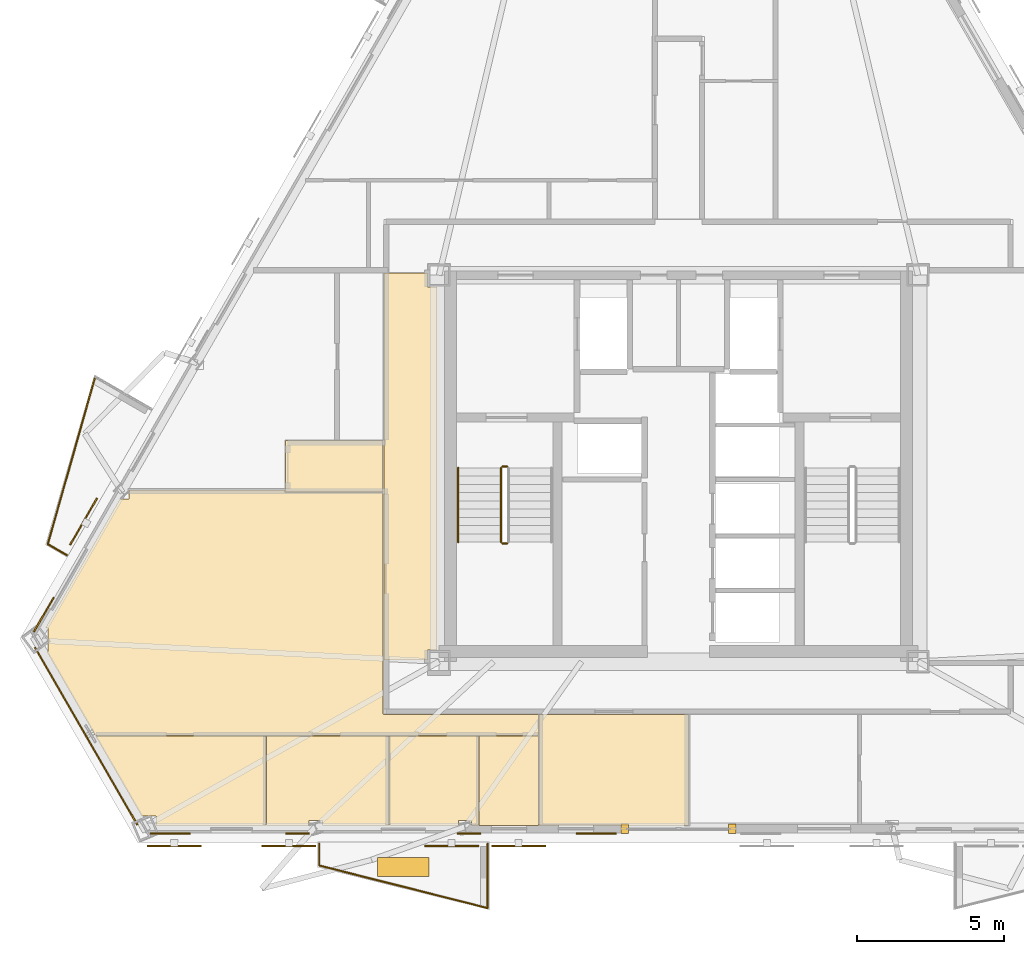
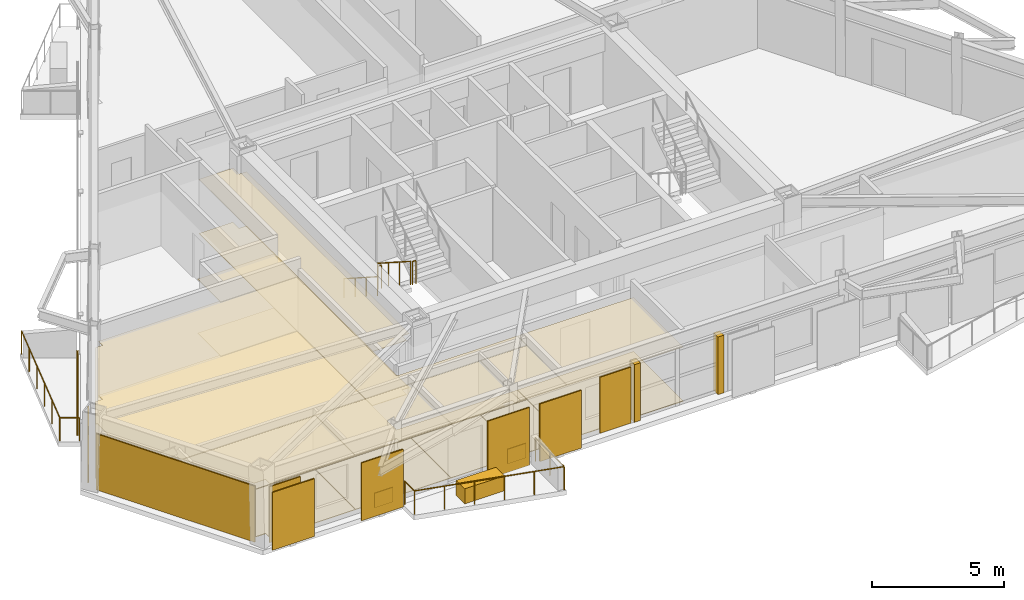
# One storey, part 10 of 13: 25 coverings, 9 railings, 5 shading devices.
"""IFC4 building model written with IfcOpenShell, lengths in metres."""

from ifc_helpers import new_model, si_unit, direction, frame, origin, origin_2d, place, context, subcontext, project, spatial, polyline, rectangle, circle, outline, extrude, material, layer, layer_set, type_object, element, save


model = new_model("IFC4")

# Units and contexts
model_context = context("Model", 3, precision=1e-05, world=origin(), true_north=direction((0.0, 1.0)))
body_context = subcontext(model_context, "Body", "Model", "MODEL_VIEW")
ifc_project = project(units=[si_unit("LENGTHUNIT", "METRE"), si_unit("AREAUNIT", "SQUARE_METRE"), si_unit("VOLUMEUNIT", "CUBIC_METRE"), si_unit("PLANEANGLEUNIT", "RADIAN"), si_unit("MASSUNIT", "GRAM", prefix="KILO")], contexts=[model_context])

# Site, building, storey
site_placement = place(None, origin())
site = spatial("IfcSite", under=ifc_project, at=site_placement, CompositionType="ELEMENT")
building_placement = place(site_placement, origin())
building = spatial("IfcBuilding", under=site, at=building_placement, Name="Oramaril Tower", CompositionType="ELEMENT")
storey_placement = place(building_placement, frame((0.0, 0.0, 197.39990234375)))
storey = spatial("IfcBuildingStorey", under=building, at=storey_placement, Name="L52", CompositionType="ELEMENT", Elevation=197.39990234375)

# Coverings
ifc_material_1 = material(Name="Mineral Fibre Acoustic Ceiling")
ifc_layer_1 = layer(ifc_material_1, 0.02001953125)
ifc_layer_set_1 = layer_set([ifc_layer_1], Name="CVT-CEIL")
covering_type_1 = type_object("IfcCoveringType", Name="CVT-CEIL", PredefinedType="CEILING", material=ifc_layer_set_1)
covering_1_placement = place(storey_placement, frame((0.0, 0.0, 2.51220703125)))
element("IfcCovering", 1, at=covering_1_placement, inside=storey, type_object=covering_type_1, Name="L52 Acoustic Suspended Ceiling 3", PredefinedType="CEILING", context=body_context, shape_type="SweptSolid", body=[
    extrude(outline(polyline([(28.955078125, 23.7548828125), (29.280029296875, 23.7548828125), (29.280029296875, 11.39501953125), (28.955078125, 11.39501953125), (28.955078125, 11.050048828125), (27.469970703125, 11.050048828125), (27.469970703125, 24.219970703125), (28.955078125, 24.219970703125), (28.955078125, 23.7548828125)])), origin(), (0.0, 0.0, 1.0), 0.019775390625),
])
covering_2_placement = place(storey_placement, frame((0.0, 0.0, 2.51220703125)))
element("IfcCovering", 2, at=covering_2_placement, inside=storey, type_object=covering_type_1, Name="L52 Acoustic Suspended Ceiling 5", PredefinedType="CEILING", context=body_context, shape_type="SweptSolid", body=[
    extrude(outline(polyline([(24.1201171875, 16.77001953125), (24.1201171875, 18.530029296875), (27.449951171875, 18.530029296875), (27.449951171875, 16.77001953125), (24.1201171875, 16.77001953125)])), origin(), (0.0, 0.0, 1.0), 0.019775390625),
])
covering_3_placement = place(storey_placement, frame((0.0, 0.0, 2.51220703125)))
element("IfcCovering", 3, at=covering_3_placement, inside=storey, type_object=covering_type_1, Name="L52 Acoustic Suspended Ceiling 6", PredefinedType="CEILING", context=body_context, shape_type="SweptSolid", body=[
    extrude(outline(polyline([(37.842041015625, 5.41943359375), (32.758056640625, 5.41943359375), (32.758056640625, 9.199951171875), (37.842041015625, 9.199951171875), (37.842041015625, 5.41943359375)])), origin(), (0.0, 0.0, 1.0), 0.019775390625),
])
covering_4_placement = place(storey_placement, frame((0.0, 0.0, 2.51220703125)))
element("IfcCovering", 4, at=covering_4_placement, inside=storey, type_object=covering_type_1, Name="L52 Acoustic Suspended Ceiling 9", PredefinedType="CEILING", context=body_context, shape_type="SweptSolid", body=[
    extrude(outline(polyline([(17.64306640625, 8.489501953125), (15.9921875, 11.348876953125), (16.03466796875, 11.348876953125), (16.03466796875, 12.148681640625), (15.957763671875, 12.148681640625), (18.490966796875, 16.536376953125), (18.79248046875, 16.536376953125), (18.79248046875, 16.842041015625), (24.10009765625, 16.842041015625), (24.10009765625, 16.77001953125), (24.10009765625, 16.76806640625), (24.100341796875, 16.76611328125), (24.100830078125, 16.76416015625), (24.1015625, 16.76220703125), (24.102294921875, 16.760498046875), (24.103515625, 16.7587890625), (24.1044921875, 16.75732421875), (24.10595703125, 16.755859375), (24.107421875, 16.75439453125), (24.10888671875, 16.75341796875), (24.110595703125, 16.75244140625), (24.1123046875, 16.75146484375), (24.1142578125, 16.7509765625), (24.1162109375, 16.75048828125), (24.117919921875, 16.75), (24.1201171875, 16.75), (27.449951171875, 16.75), (27.449951171875, 11.050048828125), (27.4501953125, 11.048095703125), (27.450439453125, 11.046142578125), (27.450927734375, 11.044189453125), (27.451416015625, 11.042236328125), (27.452392578125, 11.04052734375), (27.45263671875, 11.0400390625), (27.452392578125, 11.039306640625), (27.451416015625, 11.03759765625), (27.450927734375, 11.035888671875), (27.450439453125, 11.033935546875), (27.4501953125, 11.031982421875), (27.449951171875, 11.030029296875), (27.449951171875, 9.219970703125), (27.4501953125, 9.218017578125), (27.450439453125, 9.216064453125), (27.450927734375, 9.214111328125), (27.451416015625, 9.21240234375), (27.452392578125, 9.210693359375), (27.453369140625, 9.208984375), (27.45458984375, 9.207275390625), (27.455810546875, 9.205810546875), (27.457275390625, 9.20458984375), (27.458984375, 9.203369140625), (27.460693359375, 9.202392578125), (27.46240234375, 9.201416015625), (27.464111328125, 9.200927734375), (27.466064453125, 9.200439453125), (27.468017578125, 9.2001953125), (27.469970703125, 9.199951171875), (32.738037109375, 9.199951171875), (32.738037109375, 8.489501953125), (17.64306640625, 8.489501953125)])), origin(), (0.0, 0.0, 1.0), 0.019775390625),
])
covering_5_placement = place(storey_placement, frame((0.0, 0.0, 2.51220703125)))
element("IfcCovering", 5, at=covering_5_placement, inside=storey, type_object=covering_type_1, Name="L52 Acoustic Suspended Ceiling 10", PredefinedType="CEILING", context=body_context, shape_type="SweptSolid", body=[
    extrude(outline(polyline([(23.4609375, 5.41943359375), (19.72314453125, 5.41943359375), (19.72314453125, 5.750732421875), (19.224365234375, 5.750732421875), (17.65478515625, 8.469482421875), (23.4609375, 8.469482421875), (23.4609375, 5.41943359375)])), origin(), (0.0, 0.0, 1.0), 0.019775390625),
])
covering_6_placement = place(storey_placement, frame((0.0, 0.0, 2.51220703125)))
element("IfcCovering", 6, at=covering_6_placement, inside=storey, type_object=covering_type_1, Name="L52 Acoustic Suspended Ceiling 11", PredefinedType="CEILING", context=body_context, shape_type="SweptSolid", body=[
    extrude(outline(polyline([(27.6474609375, 5.41943359375), (25.379638671875, 5.41943359375), (25.379638671875, 5.60009765625), (24.9208984375, 5.60009765625), (24.9208984375, 5.41943359375), (23.48095703125, 5.41943359375), (23.48095703125, 8.469482421875), (27.6474609375, 8.469482421875), (27.6474609375, 5.41943359375)])), origin(), (0.0, 0.0, 1.0), 0.019775390625),
])
covering_7_placement = place(storey_placement, frame((0.0, 0.0, 2.51220703125)))
element("IfcCovering", 7, at=covering_7_placement, inside=storey, type_object=covering_type_1, Name="L52 Acoustic Suspended Ceiling 12", PredefinedType="CEILING", context=body_context, shape_type="SweptSolid", body=[
    extrude(outline(polyline([(30.697509765625, 5.41943359375), (30.460693359375, 5.41943359375), (30.460693359375, 5.60009765625), (30.010009765625, 5.60009765625), (30.010009765625, 5.41943359375), (27.66748046875, 5.41943359375), (27.66748046875, 8.469482421875), (30.697509765625, 8.469482421875), (30.697509765625, 5.41943359375)])), origin(), (0.0, 0.0, 1.0), 0.019775390625),
])
covering_8_placement = place(storey_placement, frame((0.0, 0.0, 2.51220703125)))
element("IfcCovering", 8, at=covering_8_placement, inside=storey, type_object=covering_type_1, Name="L52 Acoustic Suspended Ceiling 13", PredefinedType="CEILING", context=body_context, shape_type="SweptSolid", body=[
    extrude(outline(polyline([(30.717529296875, 5.41943359375), (30.717529296875, 8.469482421875), (32.738037109375, 8.469482421875), (32.738037109375, 5.41943359375), (30.717529296875, 5.41943359375)])), origin(), (0.0, 0.0, 1.0), 0.019775390625),
])
ifc_material_2 = material(Name="Warm Cream Limestone", Category="masonry")
ifc_layer_2 = layer(ifc_material_2, 0.050048828125)
ifc_layer_set_2 = layer_set([ifc_layer_2], Name="CVT-CLD")
covering_type_2 = type_object("IfcCoveringType", Name="CVT-CLD", PredefinedType="CLADDING", material=ifc_layer_set_2)
covering_9_placement = place(storey_placement, frame((17.3408203125, 8.461181640625, 0.0400390625), z_axis=(0.0, 0.0, 1.0), x_axis=(0.499995465495, -0.866028021766, 0.0)))
element("IfcCovering", 9, at=covering_9_placement, inside=storey, type_object=covering_type_2, Name="L52 Warm Cream Limestone Cladding", PredefinedType="CLADDING", context=body_context, shape_type="SweptSolid", body=[
    extrude(rectangle(XDim=6.9677734375, YDim=0.050048828125, at=origin_2d()), origin(), (0.0, 0.0, 1.0), 2.596923828125),
])
for number, where, z_axis, x_axis, name in (
    (10, (35.669921875, 5.3115234375, 0.0), (0.0, 0.0, 1.0), (1.0, 0.0, 0.0), "L52 Curtain Wall Limestone Jamb Closure"),
    (11, (39.330078125, 5.3115234375, 0.0), (0.0, 0.0, 1.0), (1.0, 0.0, 0.0), "L52 Curtain Wall Limestone Jamb Closure"),
):
    element("IfcCovering", number, at=place(storey_placement, frame(where, z_axis=z_axis, x_axis=x_axis)), inside=storey, type_object=covering_type_2, Name=name, PredefinedType="CLADDING", context=body_context, shape_type="SweptSolid", body=[
        extrude(rectangle(XDim=0.260009765625, YDim=0.340087890625, at=origin_2d()), origin(), (0.0, 0.0, 1.0), 2.677001953125),
    ])
for number, where, z_axis, x_axis, name in (
    (12, (20.203125, 5.1435546875, 0.0400390625), (0.0, 0.0, 1.0), (1.0, 0.0, 0.0), "L52 Warm Cream Limestone Cladding"),
    (13, (34.699951171875, 5.1435546875, 0.0400390625), (0.0, 0.0, 1.0), (1.0, 0.0, 0.0), "L52 Warm Cream Limestone Cladding"),
):
    element("IfcCovering", number, at=place(storey_placement, frame(where, z_axis=z_axis, x_axis=x_axis)), inside=storey, type_object=covering_type_2, Name=name, PredefinedType="CLADDING", context=body_context, shape_type="SweptSolid", body=[
        extrude(rectangle(XDim=1.35009765625, YDim=0.050048828125, at=origin_2d()), origin(), (0.0, 0.0, 1.0), 2.596923828125),
    ])
for number, where, z_axis, x_axis, name in (
    (14, (24.5361328125, 5.1435546875, 0.0400390625), (0.0, 0.0, 1.0), (1.0, 0.0, 0.0), "L52 Warm Cream Limestone Spandrel Cladding"),
    (15, (30.366943359375, 5.1435546875, 0.0400390625), (0.0, 0.0, 1.0), (1.0, 0.0, 0.0), "L52 Warm Cream Limestone Spandrel Cladding"),
):
    element("IfcCovering", number, at=place(storey_placement, frame(where, z_axis=z_axis, x_axis=x_axis)), inside=storey, type_object=covering_type_2, Name=name, PredefinedType="CLADDING", context=body_context, shape_type="SweptSolid", body=[
        extrude(rectangle(XDim=0.800048828125, YDim=0.050048828125, at=origin_2d()), origin(), (0.0, 0.0, 1.0), 0.679931640625),
    ])
covering_10_placement = place(storey_placement, frame((15.89892578125, 12.598876953125, 0.0400390625), z_axis=(0.0, 0.0, 1.0), x_axis=(-0.5, -0.866025403784, 0.0)))
element("IfcCovering", 16, at=covering_10_placement, inside=storey, type_object=covering_type_2, Name="L52 Warm Cream Limestone Cladding", PredefinedType="CLADDING", context=body_context, shape_type="SweptSolid", body=[
    extrude(rectangle(XDim=1.35009765625, YDim=0.050048828125, at=origin_2d()), origin(), (0.0, 0.0, 1.0), 2.596923828125),
])
covering_11_placement = place(storey_placement, frame((28.1376953125, 4.014892578125, 0.0), z_axis=(0.0, 0.0, 1.0), x_axis=(1.0, 0.0, 0.0)))
element("IfcCovering", 17, at=covering_11_placement, inside=storey, type_object=covering_type_2, Name="L52 Structural Tree Planter Box L52-BAL-S1", PredefinedType="CLADDING", context=body_context, shape_type="SweptSolid", body=[
    extrude(rectangle(XDim=1.75, YDim=0.64990234375, at=origin_2d()), origin(), (0.0, 0.0, 1.0), 0.699951171875),
])
ifc_material_3 = material(Name="Honed Quartzite Stone Flooring", Category="masonry")
ifc_layer_3 = layer(ifc_material_3, 0.02490234375)
ifc_layer_set_3 = layer_set([ifc_layer_3], Name="CVT-FLR")
covering_type_3 = type_object("IfcCoveringType", Name="CVT-FLR", PredefinedType="FLOORING", material=ifc_layer_set_3)
covering_12_placement = place(storey_placement, origin())
element("IfcCovering", 18, at=covering_12_placement, inside=storey, type_object=covering_type_3, Name="L52 Honed Stone Floor Finish 3", PredefinedType="FLOORING", context=body_context, shape_type="SweptSolid", body=[
    extrude(outline(polyline([(28.955078125, 23.7548828125), (29.280029296875, 23.7548828125), (29.280029296875, 11.39501953125), (28.955078125, 11.39501953125), (28.955078125, 11.050048828125), (27.469970703125, 11.050048828125), (27.469970703125, 24.219970703125), (28.955078125, 24.219970703125), (28.955078125, 23.7548828125)])), origin(), (0.0, 0.0, 1.0), 0.025146484375),
])
covering_13_placement = place(storey_placement, origin())
element("IfcCovering", 19, at=covering_13_placement, inside=storey, type_object=covering_type_3, Name="L52 Honed Stone Floor Finish 5", PredefinedType="FLOORING", context=body_context, shape_type="SweptSolid", body=[
    extrude(outline(polyline([(24.1201171875, 16.77001953125), (24.1201171875, 18.530029296875), (27.449951171875, 18.530029296875), (27.449951171875, 16.77001953125), (24.1201171875, 16.77001953125)])), origin(), (0.0, 0.0, 1.0), 0.025146484375),
])
covering_14_placement = place(storey_placement, origin())
element("IfcCovering", 20, at=covering_14_placement, inside=storey, type_object=covering_type_3, Name="L52 Honed Stone Floor Finish 6", PredefinedType="FLOORING", context=body_context, shape_type="SweptSolid", body=[
    extrude(outline(polyline([(37.842041015625, 5.41943359375), (32.758056640625, 5.41943359375), (32.758056640625, 9.199951171875), (37.842041015625, 9.199951171875), (37.842041015625, 5.41943359375)])), origin(), (0.0, 0.0, 1.0), 0.025146484375),
])
covering_15_placement = place(storey_placement, origin())
element("IfcCovering", 21, at=covering_15_placement, inside=storey, type_object=covering_type_3, Name="L52 Honed Stone Floor Finish 9", PredefinedType="FLOORING", context=body_context, shape_type="SweptSolid", body=[
    extrude(outline(polyline([(17.64306640625, 8.489501953125), (15.9921875, 11.348876953125), (16.03466796875, 11.348876953125), (16.03466796875, 12.148681640625), (15.957763671875, 12.148681640625), (18.490966796875, 16.536376953125), (18.79248046875, 16.536376953125), (18.79248046875, 16.842041015625), (24.10009765625, 16.842041015625), (24.10009765625, 16.77001953125), (24.10009765625, 16.76806640625), (24.100341796875, 16.76611328125), (24.100830078125, 16.76416015625), (24.1015625, 16.76220703125), (24.102294921875, 16.760498046875), (24.103515625, 16.7587890625), (24.1044921875, 16.75732421875), (24.10595703125, 16.755859375), (24.107421875, 16.75439453125), (24.10888671875, 16.75341796875), (24.110595703125, 16.75244140625), (24.1123046875, 16.75146484375), (24.1142578125, 16.7509765625), (24.1162109375, 16.75048828125), (24.117919921875, 16.75), (24.1201171875, 16.75), (27.449951171875, 16.75), (27.449951171875, 11.050048828125), (27.4501953125, 11.048095703125), (27.450439453125, 11.046142578125), (27.450927734375, 11.044189453125), (27.451416015625, 11.042236328125), (27.452392578125, 11.04052734375), (27.45263671875, 11.0400390625), (27.452392578125, 11.039306640625), (27.451416015625, 11.03759765625), (27.450927734375, 11.035888671875), (27.450439453125, 11.033935546875), (27.4501953125, 11.031982421875), (27.449951171875, 11.030029296875), (27.449951171875, 9.219970703125), (27.4501953125, 9.218017578125), (27.450439453125, 9.216064453125), (27.450927734375, 9.214111328125), (27.451416015625, 9.21240234375), (27.452392578125, 9.210693359375), (27.453369140625, 9.208984375), (27.45458984375, 9.207275390625), (27.455810546875, 9.205810546875), (27.457275390625, 9.20458984375), (27.458984375, 9.203369140625), (27.460693359375, 9.202392578125), (27.46240234375, 9.201416015625), (27.464111328125, 9.200927734375), (27.466064453125, 9.200439453125), (27.468017578125, 9.2001953125), (27.469970703125, 9.199951171875), (32.738037109375, 9.199951171875), (32.738037109375, 8.489501953125), (17.64306640625, 8.489501953125)])), origin(), (0.0, 0.0, 1.0), 0.025146484375),
])
covering_16_placement = place(storey_placement, origin())
element("IfcCovering", 22, at=covering_16_placement, inside=storey, type_object=covering_type_3, Name="L52 Honed Stone Floor Finish 10", PredefinedType="FLOORING", context=body_context, shape_type="SweptSolid", body=[
    extrude(outline(polyline([(23.4609375, 5.41943359375), (19.72314453125, 5.41943359375), (19.72314453125, 5.750732421875), (19.224365234375, 5.750732421875), (17.65478515625, 8.469482421875), (23.4609375, 8.469482421875), (23.4609375, 5.41943359375)])), origin(), (0.0, 0.0, 1.0), 0.025146484375),
])
covering_17_placement = place(storey_placement, origin())
element("IfcCovering", 23, at=covering_17_placement, inside=storey, type_object=covering_type_3, Name="L52 Honed Stone Floor Finish 11", PredefinedType="FLOORING", context=body_context, shape_type="SweptSolid", body=[
    extrude(outline(polyline([(27.6474609375, 5.41943359375), (25.379638671875, 5.41943359375), (25.379638671875, 5.60009765625), (24.9208984375, 5.60009765625), (24.9208984375, 5.41943359375), (23.48095703125, 5.41943359375), (23.48095703125, 8.469482421875), (27.6474609375, 8.469482421875), (27.6474609375, 5.41943359375)])), origin(), (0.0, 0.0, 1.0), 0.025146484375),
])
covering_18_placement = place(storey_placement, origin())
element("IfcCovering", 24, at=covering_18_placement, inside=storey, type_object=covering_type_3, Name="L52 Honed Stone Floor Finish 12", PredefinedType="FLOORING", context=body_context, shape_type="SweptSolid", body=[
    extrude(outline(polyline([(30.697509765625, 5.41943359375), (30.460693359375, 5.41943359375), (30.460693359375, 5.60009765625), (30.010009765625, 5.60009765625), (30.010009765625, 5.41943359375), (27.66748046875, 5.41943359375), (27.66748046875, 8.469482421875), (30.697509765625, 8.469482421875), (30.697509765625, 5.41943359375)])), origin(), (0.0, 0.0, 1.0), 0.025146484375),
])
covering_19_placement = place(storey_placement, origin())
element("IfcCovering", 25, at=covering_19_placement, inside=storey, type_object=covering_type_3, Name="L52 Honed Stone Floor Finish 13", PredefinedType="FLOORING", context=body_context, shape_type="SweptSolid", body=[
    extrude(outline(polyline([(30.717529296875, 5.41943359375), (30.717529296875, 8.469482421875), (32.738037109375, 8.469482421875), (32.738037109375, 5.41943359375), (30.717529296875, 5.41943359375)])), origin(), (0.0, 0.0, 1.0), 0.025146484375),
])

# Railings
ifc_material_4 = material(Name="Stainless Steel 316L", Category="steel")
railing_type_1 = type_object("IfcRailingType", Name="RLT-GRD", PredefinedType="GUARDRAIL", material=ifc_material_4)
railing_1_placement = place(storey_placement, frame((31.002685546875, 4.803466796875, 0.0)))
element("IfcRailing", 26, at=railing_1_placement, inside=storey, type_object=railing_type_1, Name="L52 Balcony Guardrail L52-BAL-S1.1", PredefinedType="GUARDRAIL", context=body_context, shape_type="SweptSolid", body=[
    extrude(circle(Radius=0.02392578125, at=origin_2d()), frame((0.0, 0.0, 1.076171875), z_axis=(0.0, -1.0, 0.0), x_axis=(1.0, 0.0, 0.0)), (0.0, 0.0, 1.0), 2.19189453125),
    extrude(circle(Radius=0.02099609375, at=origin_2d()), origin(), (0.0, 0.0, 1.0), 1.052001953125),
    extrude(circle(Radius=0.02099609375, at=origin_2d()), frame((0.0, -1.095947265625, 0.0)), (0.0, 0.0, 1.0), 1.052001953125),
    extrude(circle(Radius=0.02099609375, at=origin_2d()), frame((0.0, -2.19189453125, 0.0)), (0.0, 0.0, 1.0), 1.052001953125),
])
railing_2_placement = place(storey_placement, frame((31.002685546875, 2.611572265625, 0.0)))
element("IfcRailing", 27, at=railing_2_placement, inside=storey, type_object=railing_type_1, Name="L52 Balcony Guardrail L52-BAL-S1.2", PredefinedType="GUARDRAIL", context=body_context, shape_type="SweptSolid", body=[
    extrude(circle(Radius=0.02392578125, at=origin_2d()), frame((0.0, 0.0, 1.076171875), z_axis=(-0.969443611257, 0.245314256807, 0.0), x_axis=(-0.245314256807, -0.969443611257, 0.0)), (0.0, 0.0, 1.0), 5.91064453125),
    extrude(circle(Radius=0.02099609375, at=origin_2d()), origin(), (0.0, 0.0, 1.0), 1.052001953125),
    extrude(circle(Radius=0.02099609375, at=origin_2d()), frame((-1.14599609375, 0.2900390625, 0.0)), (0.0, 0.0, 1.0), 1.052001953125),
    extrude(circle(Radius=0.02099609375, at=origin_2d()), frame((-2.2919921875, 0.580078125, 0.0)), (0.0, 0.0, 1.0), 1.052001953125),
    extrude(circle(Radius=0.02099609375, at=origin_2d()), frame((-3.43798828125, 0.869873046875, 0.0)), (0.0, 0.0, 1.0), 1.052001953125),
    extrude(circle(Radius=0.02099609375, at=origin_2d()), frame((-4.583984375, 1.159912109375, 0.0)), (0.0, 0.0, 1.0), 1.052001953125),
    extrude(circle(Radius=0.02099609375, at=origin_2d()), frame((-5.72998046875, 1.449951171875, 0.0)), (0.0, 0.0, 1.0), 1.052001953125),
])
railing_3_placement = place(storey_placement, frame((25.272705078125, 4.0615234375, 0.0)))
element("IfcRailing", 28, at=railing_3_placement, inside=storey, type_object=railing_type_1, Name="L52 Balcony Guardrail L52-BAL-S1.3", PredefinedType="GUARDRAIL", context=body_context, shape_type="SweptSolid", body=[
    extrude(circle(Radius=0.02392578125, at=origin_2d()), frame((0.0, 0.0, 1.076171875), z_axis=(0.0, 1.0, 0.0), x_axis=(-1.0, 0.0, 0.0)), (0.0, 0.0, 1.0), 0.741943359375),
    extrude(circle(Radius=0.02099609375, at=origin_2d()), origin(), (0.0, 0.0, 1.0), 1.052001953125),
    extrude(circle(Radius=0.02099609375, at=origin_2d()), frame((0.0, 0.741943359375, 0.0)), (0.0, 0.0, 1.0), 1.052001953125),
])
railing_4_placement = place(storey_placement, frame((16.676513671875, 14.6259765625, 0.0)))
element("IfcRailing", 29, at=railing_4_placement, inside=storey, type_object=railing_type_1, Name="L52 Balcony Guardrail L52-BAL-NW2.1", PredefinedType="GUARDRAIL", context=body_context, shape_type="SweptSolid", body=[
    extrude(circle(Radius=0.02392578125, at=origin_2d()), frame((0.0, 0.0, 1.076171875), z_axis=(-0.865884080729, 0.500244698863, 0.0), x_axis=(-0.500244698863, -0.865884080729, 0.0)), (0.0, 0.0, 1.0), 0.741943359375),
    extrude(circle(Radius=0.02099609375, at=origin_2d()), origin(), (0.0, 0.0, 1.0), 1.052001953125),
    extrude(circle(Radius=0.02099609375, at=origin_2d()), frame((-0.642333984375, 0.37109375, 0.0)), (0.0, 0.0, 1.0), 1.052001953125),
])
railing_5_placement = place(storey_placement, frame((16.0341796875, 14.9970703125, 0.0)))
element("IfcRailing", 30, at=railing_5_placement, inside=storey, type_object=railing_type_1, Name="L52 Balcony Guardrail L52-BAL-NW2.2", PredefinedType="GUARDRAIL", context=body_context, shape_type="SweptSolid", body=[
    extrude(circle(Radius=0.02392578125, at=origin_2d()), frame((0.0, 0.0, 1.076171875), z_axis=(0.272259686627, 0.962223811303, 0.0), x_axis=(-0.962223811303, 0.272259686627, 0.0)), (0.0, 0.0, 1.0), 5.910400390625),
    extrude(circle(Radius=0.02099609375, at=origin_2d()), origin(), (0.0, 0.0, 1.0), 1.052001953125),
    extrude(circle(Radius=0.02099609375, at=origin_2d()), frame((0.32177734375, 1.137451171875, 0.0)), (0.0, 0.0, 1.0), 1.052001953125),
    extrude(circle(Radius=0.02099609375, at=origin_2d()), frame((0.6435546875, 2.27490234375, 0.0)), (0.0, 0.0, 1.0), 1.052001953125),
    extrude(circle(Radius=0.02099609375, at=origin_2d()), frame((0.965576171875, 3.412109375, 0.0)), (0.0, 0.0, 1.0), 1.052001953125),
    extrude(circle(Radius=0.02099609375, at=origin_2d()), frame((1.287353515625, 4.549560546875, 0.0)), (0.0, 0.0, 1.0), 1.052001953125),
    extrude(circle(Radius=0.02099609375, at=origin_2d()), frame((1.609130859375, 5.68701171875, 0.0)), (0.0, 0.0, 1.0), 1.052001953125),
])
railing_6_placement = place(storey_placement, frame((31.4599609375, 17.590087890625, 0.18017578125)))
element("IfcRailing", 31, at=railing_6_placement, inside=storey, type_object=railing_type_1, Name="L52 ST-1 stair guard 1", PredefinedType="GUARDRAIL", context=body_context, shape_type="SweptSolid", body=[
    extrude(circle(Radius=0.02392578125, at=origin_2d()), frame((0.0, 0.0, 1.076171875), z_axis=(0.0, -0.841199657755, 0.540724639528), x_axis=(1.0, 0.0, 0.0)), (0.0, 0.0, 1.0), 2.995849609375),
    extrude(circle(Radius=0.02099609375, at=origin_2d()), origin(), (0.0, 0.0, 1.0), 1.052001953125),
    extrude(circle(Radius=0.02099609375, at=origin_2d()), frame((0.0, -0.840087890625, 0.5400390625)), (0.0, 0.0, 1.0), 1.052001953125),
    extrude(circle(Radius=0.02099609375, at=origin_2d()), frame((0.0, -1.679931640625, 1.079833984375)), (0.0, 0.0, 1.0), 1.052001953125),
    extrude(circle(Radius=0.02099609375, at=origin_2d()), frame((0.0, -2.52001953125, 1.619873046875)), (0.0, 0.0, 1.0), 1.052001953125),
])
for number, where, name in (
    (32, (31.510009765625, 15.02001953125, 1.800048828125), "L52 ST-1 stair guard 2"),
    (33, (31.510009765625, 17.639892578125, 0.0), "L52 ST-1 stair guard 4"),
):
    element("IfcRailing", number, at=place(storey_placement, frame(where)), inside=storey, type_object=railing_type_1, Name=name, PredefinedType="GUARDRAIL", context=body_context, shape_type="SweptSolid", body=[
        extrude(circle(Radius=0.02392578125, at=origin_2d()), frame((0.0, 0.0, 1.076171875), z_axis=(1.0, 0.0, 0.0), x_axis=(0.0, 1.0, 0.0)), (0.0, 0.0, 1.0), 0.14990234375),
        extrude(circle(Radius=0.02099609375, at=origin_2d()), origin(), (0.0, 0.0, 1.0), 1.052001953125),
        extrude(circle(Radius=0.02099609375, at=origin_2d()), frame((0.14990234375, 0.0, 0.0)), (0.0, 0.0, 1.0), 1.052001953125),
    ])
ifc_material_5 = material(Name="Stainless Steel 316L", Category="steel")
railing_type_2 = type_object("IfcRailingType", Name="RLT-HND", PredefinedType="HANDRAIL", material=ifc_material_5)
railing_7_placement = place(storey_placement, frame((30.0, 17.590087890625, 0.18017578125)))
element("IfcRailing", 34, at=railing_7_placement, inside=storey, type_object=railing_type_2, Name="L52 ST-1 stair handrail 1", PredefinedType="HANDRAIL", context=body_context, shape_type="SweptSolid", body=[
    extrude(circle(Radius=0.02392578125, at=origin_2d()), frame((0.0, 0.0, 0.8759765625), z_axis=(0.0, -0.841199657755, 0.540724639528), x_axis=(1.0, 0.0, 0.0)), (0.0, 0.0, 1.0), 2.995849609375),
    extrude(circle(Radius=0.02099609375, at=origin_2d()), origin(), (0.0, 0.0, 1.0), 0.851806640625),
    extrude(circle(Radius=0.02099609375, at=origin_2d()), frame((0.0, -0.840087890625, 0.5400390625)), (0.0, 0.0, 1.0), 0.851806640625),
    extrude(circle(Radius=0.02099609375, at=origin_2d()), frame((0.0, -1.679931640625, 1.079833984375)), (0.0, 0.0, 1.0), 0.851806640625),
    extrude(circle(Radius=0.02099609375, at=origin_2d()), frame((0.0, -2.52001953125, 1.619873046875)), (0.0, 0.0, 1.0), 0.851806640625),
])

# Shading devices
for number, where, z_axis, x_axis, name in (
    (35, (32.0595703125, 4.7314453125, -0.02001953125), (0.0, 0.0, 1.0), (1.0, 0.0, 0.0), "L52 Perforated Ceramic Solar Screen"),
    (36, (20.337158203125, 4.7314453125, -0.02001953125), (0.0, 0.0, 1.0), (1.0, 0.0, 0.0), "L52 Perforated Ceramic Solar Screen"),
    (37, (24.237060546875, 4.7314453125, -0.02001953125), (0.0, 0.0, 1.0), (1.0, 0.0, 0.0), "L52 Perforated Ceramic Solar Screen"),
    (38, (29.77783203125, 4.7314453125, -0.02001953125), (0.0, 0.0, 1.0), (1.0, 0.0, 0.0), "L52 Perforated Ceramic Solar Screen"),
    (39, (17.252685546875, 15.767822265625, -0.02001953125), (0.0, 0.0, 1.0), (-0.5, -0.866025403784, 0.0), "L52 Perforated Ceramic Solar Screen"),
):
    element("IfcShadingDevice", number, at=place(storey_placement, frame(where, z_axis=z_axis, x_axis=x_axis)), inside=storey, Name=name, ObjectType="SCREEN", PredefinedType="USERDEFINED", context=body_context, shape_type="SweptSolid", body=[
        extrude(rectangle(XDim=1.8330078125, YDim=0.050048828125, at=origin_2d()), origin(), (0.0, 0.0, 1.0), 2.677001953125),
    ])

save(model, "model.ifc")
